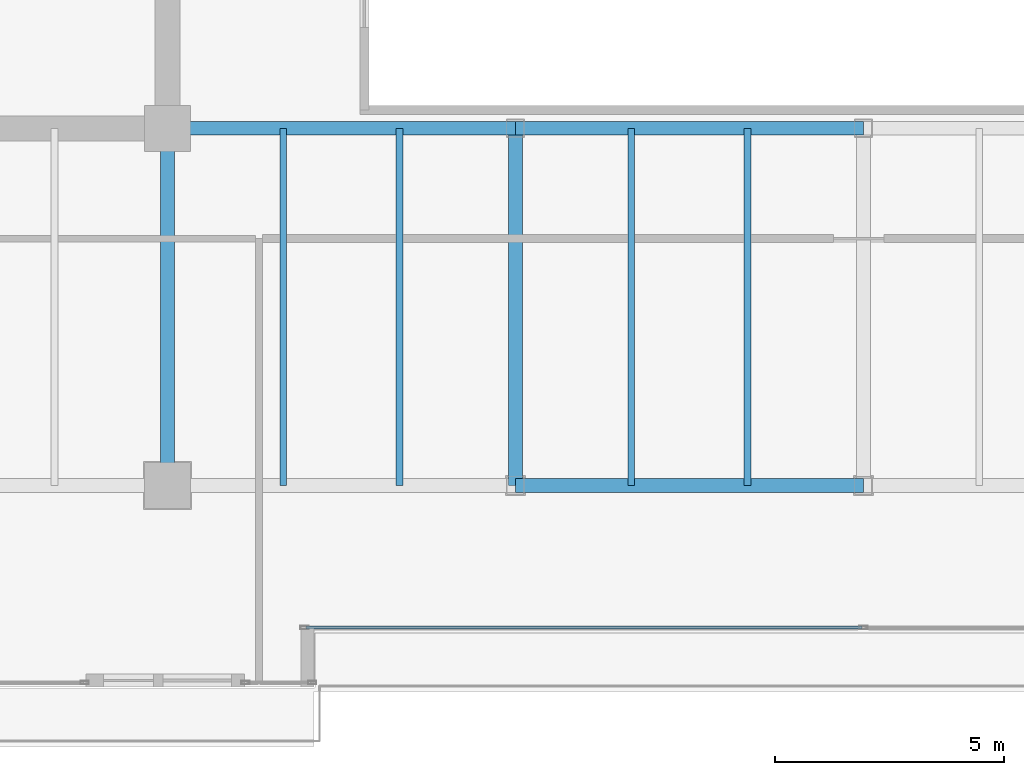
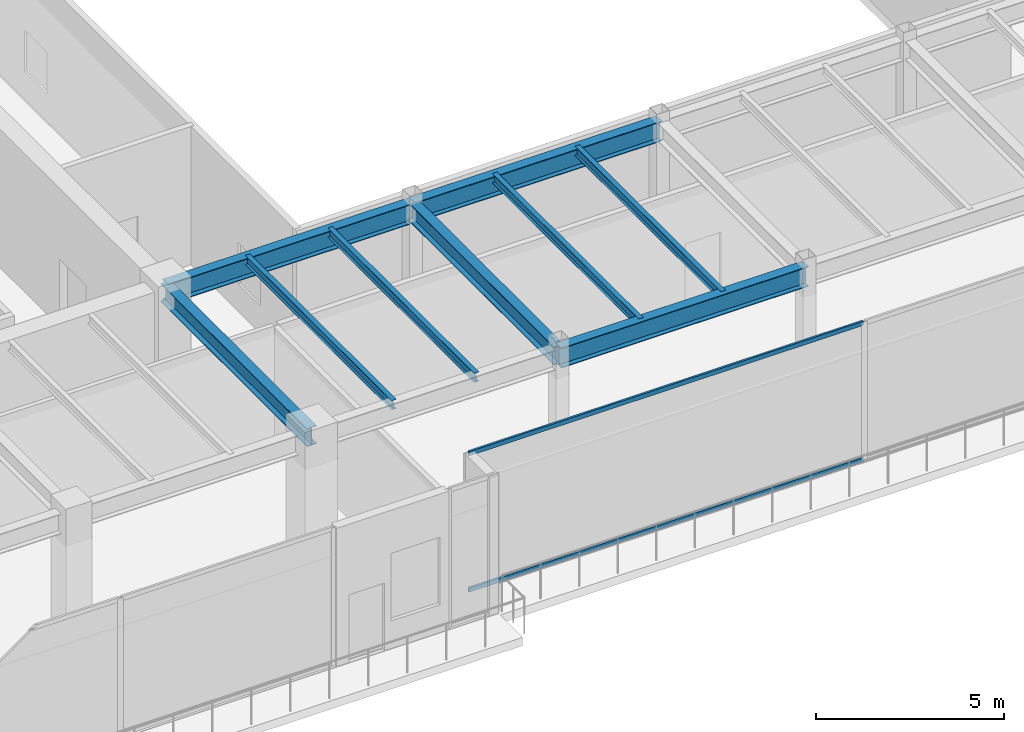
# One storey, part 8 of 37: 9 beams, 2 members, 1 element without a shape of its own.
"""IFC4 building model written with IfcOpenShell, lengths in metres."""

from ifc_helpers import new_model, si_unit, direction, frame, origin, origin_2d, place, context, subcontext, project, spatial, hollow_rectangle, i_section, extrude, source, transform, mapped, material, layer, layer_set, material_profile, profile_set, type_object, type_shapes, element, aggregate, save


model = new_model("IFC4")

# Units and contexts
model_context = context("Model", 3, precision=1e-05, world=origin(), true_north=direction((0.0, 1.0)))
body_context = subcontext(model_context, "Body", "Model", "MODEL_VIEW")
ifc_project = project(units=[si_unit("LENGTHUNIT", "METRE"), si_unit("AREAUNIT", "SQUARE_METRE"), si_unit("VOLUMEUNIT", "CUBIC_METRE"), si_unit("PLANEANGLEUNIT", "RADIAN"), si_unit("MASSUNIT", "GRAM", prefix="KILO")], contexts=[model_context])

# Site, building, storey
site_placement = place(None, origin())
site = spatial("IfcSite", under=ifc_project, at=site_placement, CompositionType="ELEMENT")
building_placement = place(site_placement, origin())
building = spatial("IfcBuilding", under=site, at=building_placement, Name="Haelvirn Gate Laboratories", CompositionType="ELEMENT")
storey_placement = place(building_placement, frame((0.0, 0.0, 196.60009765625)))
storey = spatial("IfcBuildingStorey", under=building, at=storey_placement, Name="L47", CompositionType="ELEMENT", Elevation=196.60009765625)

# Beams
ifc_material_1 = material(Name="Steel SM355", Category="steel")
ifc_material_profile_1 = material_profile(ifc_material_1, i_section(OverallWidth=0.14990234375, OverallDepth=0.300048828125, WebThickness=0.006591796875, FlangeThickness=0.009033203125, at=origin_2d()), Name="H-300x150x6.5x9")
ifc_profile_set_1 = profile_set([ifc_material_profile_1], Name="Steel SM355")
beam_type_1 = type_object("IfcBeamType", Name="BM-J-300", PredefinedType="JOIST", material=ifc_profile_set_1)
shared_shape_1 = source(origin(), body_context, "Body", "SweptSolid", [
    extrude(i_section(OverallWidth=0.14990234375, OverallDepth=0.300048828125, WebThickness=0.006591796875, FlangeThickness=0.009033203125, at=origin_2d()), origin(), (0.0, 0.0, 1.0), 7.800048828125),
])
type_shapes(beam_type_1, [shared_shape_1])
for number, where, z_axis, x_axis, name in (
    (1, (24.72998046875, 7.0, 4.349853515625), (0.0, 1.0, 0.0), (-1.0, 0.0, 0.0), "L47 Composite Lab Joist South X24.73"),
    (2, (27.27001953125, 7.0, 4.349853515625), (0.0, 1.0, 0.0), (-1.0, 0.0, 0.0), "L47 Composite Lab Joist South X27.27"),
    (3, (32.330078125, 7.0, 4.349853515625), (0.0, 1.0, 0.0), (-1.0, 0.0, 0.0), "L47 Composite Lab Joist South X32.33"),
    (4, (34.8701171875, 7.0, 4.349853515625), (0.0, 1.0, 0.0), (-1.0, 0.0, 0.0), "L47 Composite Lab Joist South X34.87"),
):
    element("IfcBeam", number, at=place(storey_placement, frame(where, z_axis=z_axis, x_axis=x_axis)), inside=storey, type_object=beam_type_1, Name=name, PredefinedType="JOIST", context=body_context, shape_type="MappedRepresentation", body=[
        mapped(shared_shape_1, transform((0.0, 0.0, 0.0), scale=1.0)),
    ])
ifc_material_profile_2 = material_profile(ifc_material_1, i_section(OverallWidth=0.300048828125, OverallDepth=0.587890625, WebThickness=0.011962890625, FlangeThickness=0.02001953125, at=origin_2d()), Name="H-588x300x12x20")
ifc_profile_set_2 = profile_set([ifc_material_profile_2], Name="Steel SM355")
beam_type_2 = type_object("IfcBeamType", Name="BM-G-588", PredefinedType="BEAM", material=ifc_profile_set_2)
shared_shape_2 = source(origin(), body_context, "Body", "SweptSolid", [
    extrude(i_section(OverallWidth=0.300048828125, OverallDepth=0.587890625, WebThickness=0.011962890625, FlangeThickness=0.02001953125, at=origin_2d()), origin(), (0.0, 0.0, 1.0), 7.800048828125),
])
type_shapes(beam_type_2, [shared_shape_2])
for number, where, z_axis, x_axis, name in (
    (5, (22.199951171875, 7.0, 4.205810546875), (0.0, 1.0, 0.0), (-1.0, 0.0, 0.0), "L47 Frame Girder X22.2 (7.0-14.8)"),
    (6, (29.800048828125, 7.0, 4.205810546875), (0.0, 1.0, 0.0), (-1.0, 0.0, 0.0), "L47 Frame Girder X29.8 (7.0-14.8)"),
):
    element("IfcBeam", number, at=place(storey_placement, frame(where, z_axis=z_axis, x_axis=x_axis)), inside=storey, type_object=beam_type_2, Name=name, PredefinedType="BEAM", context=body_context, shape_type="MappedRepresentation", body=[
        mapped(shared_shape_2, transform((0.0, 0.0, 0.0), scale=1.0)),
    ])
ifc_material_profile_3 = material_profile(ifc_material_1, i_section(OverallWidth=0.300048828125, OverallDepth=0.64990234375, WebThickness=0.012939453125, FlangeThickness=0.02197265625, at=origin_2d()), Name="H-650x300x13x22")
ifc_profile_set_3 = profile_set([ifc_material_profile_3], Name="Steel SM355")
beam_type_3 = type_object("IfcBeamType", Name="BM-G-650", PredefinedType="BEAM", material=ifc_profile_set_3)
shared_shape_3 = source(origin(), body_context, "Body", "SweptSolid", [
    extrude(i_section(OverallWidth=0.300048828125, OverallDepth=0.64990234375, WebThickness=0.012939453125, FlangeThickness=0.02197265625, at=origin_2d()), origin(), (0.0, 0.0, 1.0), 7.60009765625),
])
beam_placement = place(storey_placement, frame((22.199951171875, 14.800048828125, 4.1748046875), z_axis=(1.0, 0.0, 0.0), x_axis=(0.0, 1.0, 0.0)))
element("IfcBeam", 7, at=beam_placement, inside=storey, type_object=beam_type_3, Name="L47 Primary Girder Y14.8 (22.2-29.8)", PredefinedType="BEAM", context=body_context, shape_type="MappedRepresentation", body=[
    mapped(shared_shape_3, transform((0.0, 0.0, 0.0), scale=1.0)),
])
shared_shape_4 = source(origin(), body_context, "Body", "SweptSolid", [
    extrude(i_section(OverallWidth=0.300048828125, OverallDepth=0.64990234375, WebThickness=0.012939453125, FlangeThickness=0.02197265625, at=origin_2d()), origin(), (0.0, 0.0, 1.0), 7.599853515625),
])
type_shapes(beam_type_3, [shared_shape_3, shared_shape_4])
for number, where, z_axis, x_axis, name in (
    (8, (29.800048828125, 7.0, 4.1748046875), (1.0, 0.0, 0.0), (0.0, 1.0, 0.0), "L47 Primary Girder Y7.0 (29.8-37.4)"),
    (9, (29.800048828125, 14.800048828125, 4.1748046875), (1.0, 0.0, 0.0), (0.0, 1.0, 0.0), "L47 Primary Girder Y14.8 (29.8-37.4)"),
):
    element("IfcBeam", number, at=place(storey_placement, frame(where, z_axis=z_axis, x_axis=x_axis)), inside=storey, type_object=beam_type_3, Name=name, PredefinedType="BEAM", context=body_context, shape_type="MappedRepresentation", body=[
        mapped(shared_shape_4, transform((0.0, 0.0, 0.0), scale=1.0)),
    ])

# Curtain wall, members
ifc_material_2 = material(Name="Anodised bronze unitised aluminium & triple low-E glass", Category="aluminium")
ifc_layer = layer(ifc_material_2, 0.176025390625, Name="CW-SYS-4")
ifc_layer_set = layer_set([ifc_layer], Name="Anodised bronze unitised aluminium & triple low-E glass")
curtain_wall_type = type_object("IfcCurtainWallType", Name="CW-SYS-4", PredefinedType="NOTDEFINED", material=ifc_layer_set)
curtain_wall_placement = place(storey_placement, origin())
curtain_wall = element("IfcCurtainWall", 10, at=curtain_wall_placement, inside=storey, type_object=curtain_wall_type, Name="L47 Unitised Curtain Wall CW-L47-P0-E02-1", PredefinedType="NOTDEFINED")
ifc_material_3 = material(Name="Extruded aluminium 6063-T6 (anodised bronze)", Category="aluminium")
ifc_material_profile_4 = material_profile(ifc_material_3, hollow_rectangle(XDim=0.06494140625, YDim=0.139892578125, WallThickness=0.00390625, at=origin_2d()), Name="CWT-140x65x4")
ifc_profile_set_4 = profile_set([ifc_material_profile_4], Name="Extruded aluminium 6063-T6 (anodised bronze)")
member_type = type_object("IfcMemberType", Name="CWT-T140", PredefinedType="USERDEFINED", material=ifc_profile_set_4)
shared_shape_5 = source(origin(), body_context, "Body", "SweptSolid", [
    extrude(hollow_rectangle(XDim=0.06494140625, YDim=0.139892578125, WallThickness=0.00390625, at=origin_2d()), origin(), (0.0, 0.0, 1.0), 12.135009765625),
])
type_shapes(member_type, [shared_shape_5])
member_1_placement = place(storey_placement, frame((25.22998046875, 3.89990234375, 0.032470703125), z_axis=(1.0, 0.0, 0.0), x_axis=(0.0, 1.0, 0.0)))
member_1 = element("IfcMember", 11, at=member_1_placement, type_object=member_type, Name="CW4 transom 1.1", ObjectType="TRANSOM", PredefinedType="USERDEFINED", context=body_context, shape_type="MappedRepresentation", body=[
    mapped(shared_shape_5, transform((0.0, 0.0, 0.0), scale=1.0)),
])
member_2_placement = place(storey_placement, frame((25.22998046875, 3.89990234375, 4.46728515625), z_axis=(1.0, 0.0, 0.0), x_axis=(0.0, 1.0, 0.0)))
member_2 = element("IfcMember", 12, at=member_2_placement, type_object=member_type, Name="CW4 transom 1.2", ObjectType="TRANSOM", PredefinedType="USERDEFINED", context=body_context, shape_type="MappedRepresentation", body=[
    mapped(shared_shape_5, transform((0.0, 0.0, 0.0), scale=1.0)),
])
aggregate(curtain_wall, [member_1, member_2])

save(model, "model.ifc")
